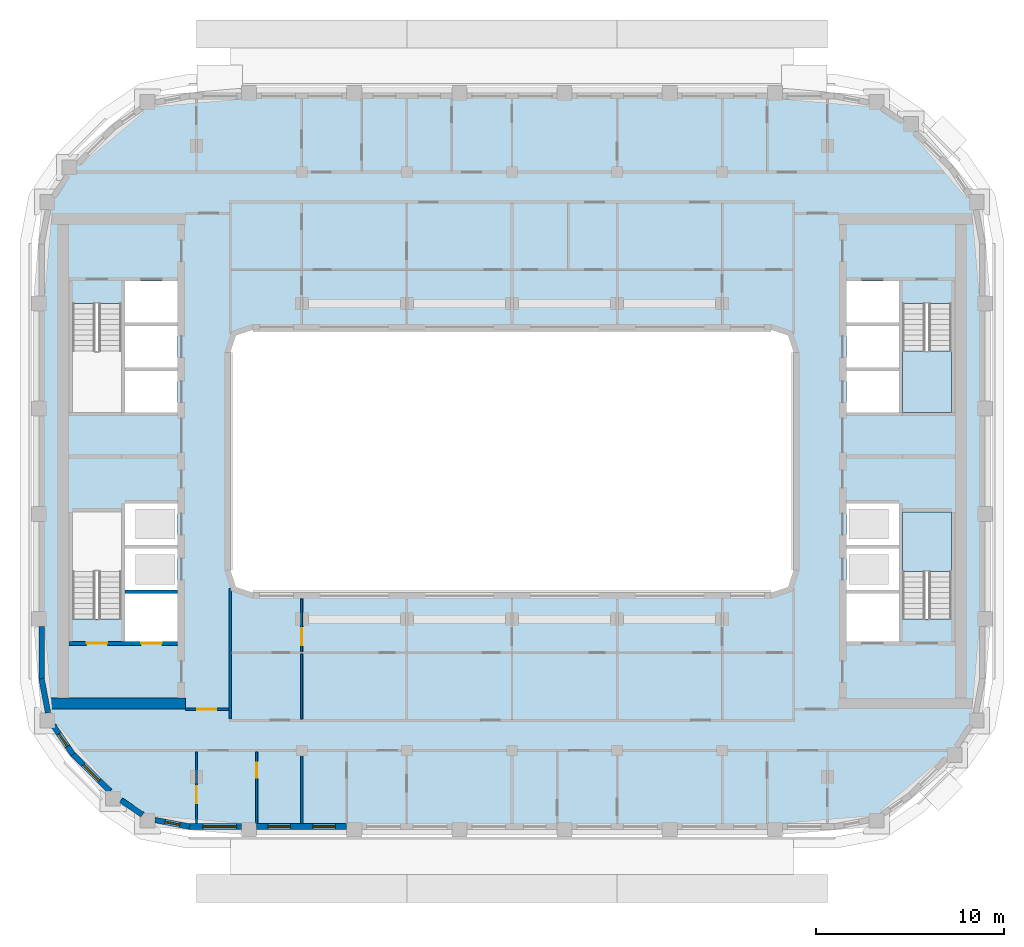
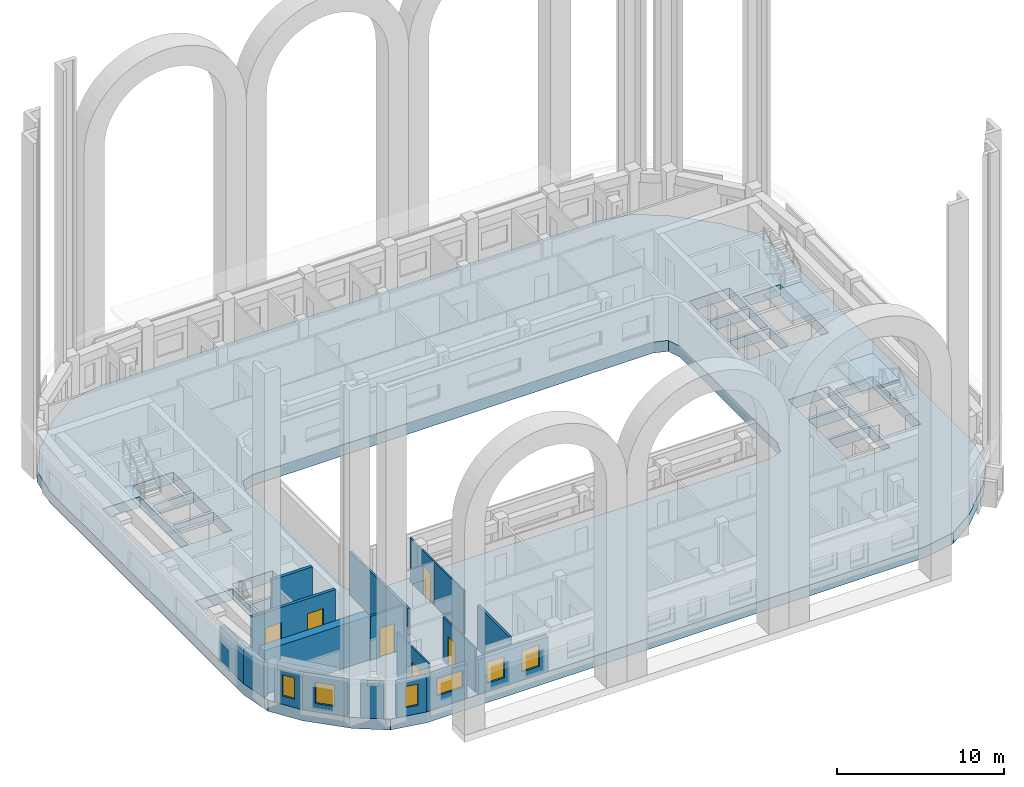
# One storey, part 2 of 19: 18 walls, 6 doors, 6 windows, 3 slabs, 12 openings, 2 elements without a shape of their own.
"""IFC4 building model written with IfcOpenShell, lengths in metres."""

from ifc_helpers import new_model, si_unit, direction, frame, frame_2d, origin, place, context, subcontext, project, spatial, polyline, rectangle, outline, extrude, material, layer, layer_set, type_object, element, fill, aggregate, save


model = new_model("IFC4")

# Units and contexts
model_context = context("Model", 3, precision=1e-05, world=origin(), true_north=direction((0.0, 1.0)))
body_context = subcontext(model_context, "Body", "Model", "MODEL_VIEW")
ifc_project = project(units=[si_unit("LENGTHUNIT", "METRE"), si_unit("AREAUNIT", "SQUARE_METRE"), si_unit("VOLUMEUNIT", "CUBIC_METRE"), si_unit("PLANEANGLEUNIT", "RADIAN"), si_unit("MASSUNIT", "GRAM", prefix="KILO")], contexts=[model_context])

# Site, building, storey
site_placement = place(None, origin())
site = spatial("IfcSite", under=ifc_project, at=site_placement, CompositionType="ELEMENT")
building_placement = place(site_placement, origin())
building = spatial("IfcBuilding", under=site, at=building_placement, Name="Kiln Ring Residences", CompositionType="ELEMENT")
storey_placement = place(building_placement, frame((0.0, 0.0, 241.699951171875)))
storey = spatial("IfcBuildingStorey", under=building, at=storey_placement, Name="L62", CompositionType="ELEMENT", Elevation=241.699951171875)

# Stair, slab
ifc_material_1 = material(Name="Concrete C40/50", Category="concrete")
stair_type = type_object("IfcStairType", Name="CORE-STAIR", PredefinedType="HALF_TURN_STAIR", material=ifc_material_1)
placement_1 = place(storey_placement, origin())
stair_1 = element("IfcStair", 1, at=placement_1, inside=storey, type_object=stair_type, Name="L62 stair E-STN", PredefinedType="HALF_TURN_STAIR")
ifc_material_2 = material(Name="Concrete C40/50", Category="concrete")
ifc_layer_1 = layer(ifc_material_2, 0.199951171875)
ifc_layer_set_1 = layer_set([ifc_layer_1], Name="CORE-STAIR-LANDING")
slab_type_1 = type_object("IfcSlabType", Name="CORE-STAIR-LANDING", PredefinedType="LANDING", material=ifc_layer_set_1)
placement_2 = place(storey_placement, frame((0.0, 0.0, 1.550048828125)))
slab_1 = element("IfcSlab", 2, at=placement_2, type_object=slab_type_1, Name="E-STN landing 1", PredefinedType="LANDING", context=body_context, shape_type="SweptSolid", body=[
    extrude(outline(polyline([(20.800048828125, 5.8798828125), (20.800048828125, 2.60009765625), (23.39990234375, 2.60009765625), (23.39990234375, 5.8798828125), (20.800048828125, 5.8798828125)])), origin(), (0.0, 0.0, 1.0), 0.199951171875),
])
aggregate(stair_1, [slab_1])

stair_2 = element("IfcStair", 3, at=placement_1, inside=storey, type_object=stair_type, Name="L62 stair E-STS", PredefinedType="HALF_TURN_STAIR")
slab_2 = element("IfcSlab", 4, at=placement_2, type_object=slab_type_1, Name="E-STS landing 1", PredefinedType="LANDING", context=body_context, shape_type="SweptSolid", body=[
    extrude(outline(polyline([(23.39990234375, -5.8798828125), (23.39990234375, -2.699951171875), (20.800048828125, -2.699951171875), (20.800048828125, -5.8798828125), (23.39990234375, -5.8798828125)])), origin(), (0.0, 0.0, 1.0), 0.199951171875),
])
aggregate(stair_2, [slab_2])

# Slab
ifc_material_3 = material(Name="Concrete C40/50", Category="concrete")
ifc_layer_2 = layer(ifc_material_3, 0.800048828125)
ifc_layer_set_2 = layer_set([ifc_layer_2], Name="Transfer slab 800")
slab_type_2 = type_object("IfcSlabType", Name="Transfer slab 800", PredefinedType="FLOOR", material=ifc_layer_set_2)
slab_3_placement = place(storey_placement, frame((0.0, 0.0, -0.800048828125)))
element("IfcSlab", 5, at=slab_3_placement, inside=storey, type_object=slab_type_2, Name="Transfer slab L62 1", PredefinedType="FLOOR", context=body_context, shape_type="SweptSolid", body=[
    extrude(outline(polyline([(-23.5029296875, -15.697021484375), (-21.297119140625, -17.90283203125), (-19.42431640625, -19.17578125), (-17.199951171875, -19.60009765625), (17.199951171875, -19.60009765625), (19.42431640625, -19.17578125), (21.297119140625, -17.90283203125), (23.5029296875, -15.697021484375), (24.775634765625, -13.82421875), (25.199951171875, -11.60009765625), (25.199951171875, 11.60009765625), (24.775634765625, 13.82421875), (23.5029296875, 15.697021484375), (21.297119140625, 17.90283203125), (19.42431640625, 19.17578125), (17.199951171875, 19.60009765625), (-17.199951171875, 19.60009765625), (-19.42431640625, 19.17578125), (-21.297119140625, 17.90283203125), (-23.5029296875, 15.697021484375), (-24.775634765625, 13.82421875), (-25.199951171875, 11.60009765625), (-25.199951171875, -11.60009765625), (-24.775634765625, -13.82421875), (-23.5029296875, -15.697021484375)]), holes=[polyline([(-14.699951171875, -6.699951171875), (-15.0, -5.800048828125), (-15.0, 5.800048828125), (-14.699951171875, 6.699951171875), (-13.800048828125, 7.0), (13.800048828125, 7.0), (14.699951171875, 6.699951171875), (15.0, 5.800048828125), (15.0, -5.800048828125), (14.699951171875, -6.699951171875), (13.800048828125, -7.0), (-13.800048828125, -7.0), (-14.699951171875, -6.699951171875)]), polyline([(20.800048828125, -8.39794921875), (20.800048828125, -2.699951171875), (23.39990234375, -2.699951171875), (23.39990234375, -8.39794921875), (20.800048828125, -8.39794921875)]), polyline([(20.800048828125, 2.60009765625), (20.800048828125, 8.39794921875), (23.39990234375, 8.39794921875), (23.39990234375, 2.60009765625), (20.800048828125, 2.60009765625)]), polyline([(17.800048828125, -9.60009765625), (17.800048828125, -7.050048828125), (20.60009765625, -7.050048828125), (20.60009765625, -9.60009765625), (17.800048828125, -9.60009765625)]), polyline([(17.800048828125, -6.85009765625), (17.800048828125, -4.64990234375), (20.60009765625, -4.64990234375), (20.60009765625, -6.85009765625), (17.800048828125, -6.85009765625)]), polyline([(17.800048828125, -4.449951171875), (17.800048828125, -2.25), (20.60009765625, -2.25), (20.60009765625, -4.449951171875), (17.800048828125, -4.449951171875)]), polyline([(17.800048828125, 2.60009765625), (17.800048828125, 4.800048828125), (20.60009765625, 4.800048828125), (20.60009765625, 2.60009765625), (17.800048828125, 2.60009765625)]), polyline([(17.800048828125, 5.0), (17.800048828125, 7.199951171875), (20.60009765625, 7.199951171875), (20.60009765625, 5.0), (17.800048828125, 5.0)]), polyline([(17.800048828125, 7.39990234375), (17.800048828125, 9.60009765625), (20.60009765625, 9.60009765625), (20.60009765625, 7.39990234375), (17.800048828125, 7.39990234375)]), polyline([(-17.800048828125, -9.60009765625), (-20.60009765625, -9.60009765625), (-20.60009765625, -7.050048828125), (-17.800048828125, -7.050048828125), (-17.800048828125, -9.60009765625)]), polyline([(-17.800048828125, -6.85009765625), (-20.60009765625, -6.85009765625), (-20.60009765625, -4.64990234375), (-17.800048828125, -4.64990234375), (-17.800048828125, -6.85009765625)]), polyline([(-17.800048828125, -4.449951171875), (-20.60009765625, -4.449951171875), (-20.60009765625, -2.25), (-17.800048828125, -2.25), (-17.800048828125, -4.449951171875)]), polyline([(-17.800048828125, 2.60009765625), (-20.60009765625, 2.60009765625), (-20.60009765625, 4.800048828125), (-17.800048828125, 4.800048828125), (-17.800048828125, 2.60009765625)]), polyline([(-17.800048828125, 5.0), (-20.60009765625, 5.0), (-20.60009765625, 7.199951171875), (-17.800048828125, 7.199951171875), (-17.800048828125, 5.0)]), polyline([(-17.800048828125, 7.39990234375), (-20.60009765625, 7.39990234375), (-20.60009765625, 9.60009765625), (-17.800048828125, 9.60009765625), (-17.800048828125, 7.39990234375)]), polyline([(-20.800048828125, -8.39794921875), (-23.39990234375, -8.39794921875), (-23.39990234375, -2.699951171875), (-20.800048828125, -2.699951171875), (-20.800048828125, -8.39794921875)]), polyline([(-20.800048828125, 2.60009765625), (-23.39990234375, 2.60009765625), (-23.39990234375, 8.39794921875), (-20.800048828125, 8.39794921875), (-20.800048828125, 2.60009765625)])]), origin(), (0.0, 0.0, 1.0), 0.800048828125),
])

# Wall
ifc_material_4 = material(Name="Gypsum shaft wall system")
ifc_layer_3 = layer(ifc_material_4, 0.199951171875)
ifc_layer_set_3 = layer_set([ifc_layer_3], Name="CORE-SHAFT-WALL-200")
wall_type_1 = type_object("IfcWallType", Name="CORE-SHAFT-WALL-200", PredefinedType="PARTITIONING", material=ifc_layer_set_3)
wall_1_placement = place(storey_placement, frame((-17.800048828125, -6.949951171875, 0.0), z_axis=(0.0, 0.0, 1.0), x_axis=(-1.0, 0.0, 0.0)))
element("IfcWall", 6, at=wall_1_placement, inside=storey, type_object=wall_type_1, Name="Core partition west L62 2", PredefinedType="PARTITIONING", context=body_context, shape_type="SweptSolid", body=[
    extrude(rectangle(XDim=2.800048828125, YDim=0.199951171875, at=frame_2d((1.39990234375, 0.0))), origin(), (0.0, 0.0, 1.0), 3.199951171875),
])

# Wall, openings, doors
ifc_material_5 = material(Name="Concrete C40/50", Category="concrete")
ifc_layer_4 = layer(ifc_material_5, 0.199951171875)
ifc_layer_set_4 = layer_set([ifc_layer_4], Name="CORE-WALL-RC200")
wall_type_2 = type_object("IfcWallType", Name="CORE-WALL-RC200", PredefinedType="SHEAR", material=ifc_layer_set_4)
wall_2_placement = place(storey_placement, frame((-17.800048828125, -9.699951171875, 0.0), z_axis=(0.0, 0.0, 1.0), x_axis=(-1.0, 0.0, 0.0)))
wall_2 = element("IfcWall", 7, at=wall_2_placement, inside=storey, type_object=wall_type_2, Name="Core wall west L62 8", PredefinedType="SHEAR", context=body_context, shape_type="SweptSolid", body=[
    extrude(rectangle(XDim=5.800048828125, YDim=0.199951171875, at=frame_2d((2.89990234375, 0.0))), origin(), (0.0, 0.0, 1.0), 3.199951171875),
])
opening_1_placement = place(wall_2_placement, frame((0.85009765625, 0.0, 0.0)))
opening_1 = element("IfcOpeningElement", 8, at=opening_1_placement, cuts=wall_2, Name="Opening L62-CW01", PredefinedType="OPENING", context=body_context, shape_type="SweptSolid", body=[
    extrude(rectangle(XDim=1.10009765625, YDim=2.10009765625, at=frame_2d((0.550048828125, 1.050048828125))), frame((0.0, 0.10986328125, 0.0), z_axis=(0.0, -1.0, 0.0), x_axis=(1.0, 0.0, 0.0)), (0.0, 0.0, 1.0), 0.219970703125),
])
opening_2_placement = place(wall_2_placement, frame((3.75, 0.0, 0.0)))
opening_2 = element("IfcOpeningElement", 9, at=opening_2_placement, cuts=wall_2, Name="Opening L62-CW11", PredefinedType="OPENING", context=body_context, shape_type="SweptSolid", body=[
    extrude(rectangle(XDim=1.10009765625, YDim=2.10009765625, at=frame_2d((0.550048828125, 1.050048828125))), frame((0.0, 0.10986328125, 0.0), z_axis=(0.0, -1.0, 0.0), x_axis=(1.0, 0.0, 0.0)), (0.0, 0.0, 1.0), 0.219970703125),
])
ifc_material_6 = material(Name="Steel door leaf", Category="steel")
door_type_1 = type_object("IfcDoorType", Name="CORE-DOOR-LD", OperationType="DOUBLE_DOOR_SLIDING", PredefinedType="DOOR", material=ifc_material_6)
door_1_placement = place(opening_1_placement, origin())
door_1 = element("IfcDoor", 10, at=door_1_placement, inside=storey, type_object=door_type_1, Name="LD W-SV L62-CW01", OperationType="DOUBLE_DOOR_SLIDING", OverallHeight=2.10009765625, OverallWidth=1.10009765625, PredefinedType="DOOR", context=body_context, shape_type="SweptSolid", body=[
    extrude(rectangle(XDim=1.10009765625, YDim=2.10009765625, at=frame_2d((0.550048828125, 1.050048828125))), frame((0.0, 0.02490234375, 0.0), z_axis=(0.0, -1.0, 0.0), x_axis=(1.0, 0.0, 0.0)), (0.0, 0.0, 1.0), 0.050048828125),
])
fill(opening_1, door_1)
ifc_material_7 = material(Name="Steel door leaf", Category="steel")
door_type_2 = type_object("IfcDoorType", Name="CORE-DOOR-STAIR", OperationType="SINGLE_SWING_LEFT", PredefinedType="DOOR", material=ifc_material_7)
door_2_placement = place(opening_2_placement, origin())
door_2 = element("IfcDoor", 11, at=door_2_placement, inside=storey, type_object=door_type_2, Name="Stair W-STS L62-CW11", OperationType="SINGLE_SWING_RIGHT", OverallHeight=2.10009765625, OverallWidth=1.10009765625, PredefinedType="DOOR", context=body_context, shape_type="SweptSolid", body=[
    extrude(rectangle(XDim=1.10009765625, YDim=2.10009765625, at=frame_2d((0.550048828125, 1.050048828125))), frame((0.0, 0.02490234375, 0.0), z_axis=(0.0, -1.0, 0.0), x_axis=(1.0, 0.0, 0.0)), (0.0, 0.0, 1.0), 0.050048828125),
])
fill(opening_2, door_2)

# Wall
ifc_material_8 = material(Name="Concrete C60/75", Category="concrete")
ifc_layer_5 = layer(ifc_material_8, 0.60009765625)
ifc_layer_set_5 = layer_set([ifc_layer_5], Name="CORE-WALL-RC600")
wall_type_3 = type_object("IfcWallType", Name="CORE-WALL-RC600", PredefinedType="SHEAR", material=ifc_layer_set_5)
wall_3_placement = place(storey_placement, frame((-17.39990234375, -12.89990234375, 0.0), z_axis=(0.0, 0.0, 1.0), x_axis=(-1.0, 0.0, 0.0)))
element("IfcWall", 12, at=wall_3_placement, inside=storey, type_object=wall_type_3, Name="Core wall west L62 5", PredefinedType="SHEAR", context=body_context, shape_type="SweptSolid", body=[
    extrude(rectangle(XDim=7.320068359375, YDim=0.60009765625, at=frame_2d((3.66015625, 0.0))), origin(), (0.0, 0.0, 1.0), 3.199951171875),
])

# Wall, opening, window
ifc_material_9 = material(Name="Brick masonry, dark clay brick", Category="masonry")
ifc_layer_6 = layer(ifc_material_9, 0.300048828125)
ifc_layer_set_6 = layer_set([ifc_layer_6], Name="EW-300 BRICK WALL")
wall_type_4 = type_object("IfcWallType", Name="EW-300 BRICK WALL", PredefinedType="SOLIDWALL", material=ifc_layer_set_6)
wall_4_placement = place(storey_placement, frame((-23.39697265625, -15.591064453125, 0.0), z_axis=(0.0, 0.0, 1.0), x_axis=(0.707150377276, -0.707063182409, 0.0)))
wall_4 = element("IfcWall", 13, at=wall_4_placement, inside=storey, type_object=wall_type_4, Name="Facade wall L62 1", PredefinedType="SOLIDWALL", context=body_context, shape_type="SweptSolid", body=[
    extrude(rectangle(XDim=2.800048828125, YDim=0.300048828125, at=frame_2d((1.39990234375, 0.0))), origin(), (0.0, 0.0, 1.0), 2.550048828125),
])
opening_3_placement = place(wall_4_placement, frame((0.800048828125, 0.0, 0.60009765625)))
opening_3 = element("IfcOpeningElement", 14, at=opening_3_placement, cuts=wall_4, Name="Opening W1", PredefinedType="OPENING", context=body_context, shape_type="SweptSolid", body=[
    extrude(rectangle(XDim=1.199951171875, YDim=1.550048828125, at=frame_2d((0.60009765625, 0.77490234375))), frame((0.0, 0.159912109375, 0.0), z_axis=(0.0, -1.0, 0.0), x_axis=(1.0, 0.0, 0.0)), (0.0, 0.0, 1.0), 0.320068359375),
])
ifc_material_10 = material(Name="Aluminium frame with double glazing", Category="aluminium")
window_type_1 = type_object("IfcWindowType", Name="WINDOW 1200 x 1550", PartitioningType="SINGLE_PANEL", PredefinedType="WINDOW", material=ifc_material_10)
window_1_placement = place(opening_3_placement, origin())
window_1 = element("IfcWindow", 15, at=window_1_placement, inside=storey, type_object=window_type_1, Name="Window L62 1", OverallHeight=1.550048828125, OverallWidth=1.199951171875, PartitioningType="SINGLE_PANEL", PredefinedType="WINDOW", context=body_context, shape_type="SweptSolid", body=[
    extrude(rectangle(XDim=1.199951171875, YDim=1.550048828125, at=frame_2d((0.60009765625, 0.77490234375))), frame((0.0, 0.030029296875, 0.0), z_axis=(0.0, -1.0, 0.0), x_axis=(1.0, 0.0, 0.0)), (0.0, 0.0, 1.0), 0.06005859375),
])
fill(opening_3, window_1)

# Wall
wall_5_placement = place(storey_placement, frame((-20.816650390625, -18.048095703125, 0.0), z_axis=(0.0, 0.0, 1.0), x_axis=(0.827025410886, -0.562164539747, 0.0)))
element("IfcWall", 16, at=wall_5_placement, inside=storey, type_object=wall_type_4, Name="Facade wall L62 2", PredefinedType="SOLIDWALL", context=body_context, shape_type="SweptSolid", body=[
    extrude(rectangle(XDim=1.377197265625, YDim=0.300048828125, at=frame_2d((0.6884765625, 0.0))), origin(), (0.0, 0.0, 1.0), 2.550048828125),
])

# Wall, opening, window
wall_6_placement = place(storey_placement, frame((-18.9951171875, -19.10498046875, 0.0), z_axis=(0.0, 0.0, 1.0), x_axis=(0.982301706131, -0.187305520826, 0.0)))
wall_6 = element("IfcWall", 17, at=wall_6_placement, inside=storey, type_object=wall_type_4, Name="Facade wall L62 3", PredefinedType="SOLIDWALL", context=body_context, shape_type="SweptSolid", body=[
    extrude(rectangle(XDim=1.856201171875, YDim=0.300048828125, at=frame_2d((0.92822265625, 0.0))), origin(), (0.0, 0.0, 1.0), 2.550048828125),
])
opening_4_placement = place(wall_6_placement, frame((0.528076171875, 0.0, 0.60009765625)))
opening_4 = element("IfcOpeningElement", 18, at=opening_4_placement, cuts=wall_6, Name="Opening W5", PredefinedType="OPENING", context=body_context, shape_type="SweptSolid", body=[
    extrude(rectangle(XDim=0.800048828125, YDim=1.550048828125, at=frame_2d((0.39990234375, 0.77490234375))), frame((0.0, 0.159912109375, 0.0), z_axis=(0.0, -1.0, 0.0), x_axis=(1.0, 0.0, 0.0)), (0.0, 0.0, 1.0), 0.320068359375),
])
ifc_material_11 = material(Name="Aluminium frame with double glazing", Category="aluminium")
window_type_2 = type_object("IfcWindowType", Name="WINDOW 800 x 1550", PartitioningType="SINGLE_PANEL", PredefinedType="WINDOW", material=ifc_material_11)
window_2_placement = place(opening_4_placement, origin())
window_2 = element("IfcWindow", 19, at=window_2_placement, inside=storey, type_object=window_type_2, Name="Window L62 2", OverallHeight=1.550048828125, OverallWidth=0.800048828125, PartitioningType="SINGLE_PANEL", PredefinedType="WINDOW", context=body_context, shape_type="SweptSolid", body=[
    extrude(rectangle(XDim=0.800048828125, YDim=1.550048828125, at=frame_2d((0.39990234375, 0.77490234375))), frame((0.0, 0.030029296875, 0.0), z_axis=(0.0, -1.0, 0.0), x_axis=(1.0, 0.0, 0.0)), (0.0, 0.0, 1.0), 0.06005859375),
])
fill(opening_4, window_2)

wall_7_placement = place(storey_placement, frame((-17.199951171875, -19.449951171875, 0.0), z_axis=(0.0, 0.0, 1.0), x_axis=(1.0, 0.0, 0.0)))
wall_7 = element("IfcWall", 20, at=wall_7_placement, inside=storey, type_object=wall_type_4, Name="Facade wall L62 4", PredefinedType="SOLIDWALL", context=body_context, shape_type="SweptSolid", body=[
    extrude(rectangle(XDim=2.800048828125, YDim=0.300048828125, at=frame_2d((1.39990234375, 0.0))), origin(), (0.0, 0.0, 1.0), 2.550048828125),
])
opening_5_placement = place(wall_7_placement, frame((0.737548828125, 0.0, 0.89990234375)))
opening_5 = element("IfcOpeningElement", 21, at=opening_5_placement, cuts=wall_7, Name="Opening W2", PredefinedType="OPENING", context=body_context, shape_type="SweptSolid", body=[
    extrude(rectangle(XDim=1.800048828125, YDim=1.25, at=frame_2d((0.89990234375, 0.625))), frame((0.0, 0.159912109375, 0.0), z_axis=(0.0, -1.0, 0.0), x_axis=(1.0, 0.0, 0.0)), (0.0, 0.0, 1.0), 0.320068359375),
])
ifc_material_12 = material(Name="Aluminium frame with double glazing", Category="aluminium")
window_type_3 = type_object("IfcWindowType", Name="WINDOW 1800 x 1250", PartitioningType="SINGLE_PANEL", PredefinedType="WINDOW", material=ifc_material_12)
window_3_placement = place(opening_5_placement, origin())
window_3 = element("IfcWindow", 22, at=window_3_placement, inside=storey, type_object=window_type_3, Name="Window L62 3", OverallHeight=1.25, OverallWidth=1.800048828125, PartitioningType="SINGLE_PANEL", PredefinedType="WINDOW", context=body_context, shape_type="SweptSolid", body=[
    extrude(rectangle(XDim=1.800048828125, YDim=1.25, at=frame_2d((0.89990234375, 0.625))), frame((0.0, 0.030029296875, 0.0), z_axis=(0.0, -1.0, 0.0), x_axis=(1.0, 0.0, 0.0)), (0.0, 0.0, 1.0), 0.06005859375),
])
fill(opening_5, window_3)

# Wall, openings, windows
wall_8_placement = place(storey_placement, frame((-13.60009765625, -19.449951171875, 0.0), z_axis=(0.0, 0.0, 1.0), x_axis=(1.0, 0.0, 0.0)))
wall_8 = element("IfcWall", 23, at=wall_8_placement, inside=storey, type_object=wall_type_4, Name="Facade wall L62 5", PredefinedType="SOLIDWALL", context=body_context, shape_type="SweptSolid", body=[
    extrude(rectangle(XDim=4.800048828125, YDim=0.300048828125, at=frame_2d((2.39990234375, 0.0))), origin(), (0.0, 0.0, 1.0), 2.550048828125),
])
opening_6_placement = place(wall_8_placement, frame((0.60009765625, 0.0, 0.60009765625)))
opening_6 = element("IfcOpeningElement", 24, at=opening_6_placement, cuts=wall_8, Name="Opening W1", PredefinedType="OPENING", context=body_context, shape_type="SweptSolid", body=[
    extrude(rectangle(XDim=1.199951171875, YDim=1.550048828125, at=frame_2d((0.60009765625, 0.77490234375))), frame((0.0, 0.159912109375, 0.0), z_axis=(0.0, -1.0, 0.0), x_axis=(1.0, 0.0, 0.0)), (0.0, 0.0, 1.0), 0.320068359375),
])
opening_7_placement = place(wall_8_placement, frame((3.0, 0.0, 0.60009765625)))
opening_7 = element("IfcOpeningElement", 25, at=opening_7_placement, cuts=wall_8, Name="Opening W1", PredefinedType="OPENING", context=body_context, shape_type="SweptSolid", body=[
    extrude(rectangle(XDim=1.199951171875, YDim=1.550048828125, at=frame_2d((0.60009765625, 0.77490234375))), frame((0.0, 0.159912109375, 0.0), z_axis=(0.0, -1.0, 0.0), x_axis=(1.0, 0.0, 0.0)), (0.0, 0.0, 1.0), 0.320068359375),
])
window_4_placement = place(opening_6_placement, origin())
window_4 = element("IfcWindow", 26, at=window_4_placement, inside=storey, type_object=window_type_1, Name="Window L62 4", OverallHeight=1.550048828125, OverallWidth=1.199951171875, PartitioningType="SINGLE_PANEL", PredefinedType="WINDOW", context=body_context, shape_type="SweptSolid", body=[
    extrude(rectangle(XDim=1.199951171875, YDim=1.550048828125, at=frame_2d((0.60009765625, 0.77490234375))), frame((0.0, 0.030029296875, 0.0), z_axis=(0.0, -1.0, 0.0), x_axis=(1.0, 0.0, 0.0)), (0.0, 0.0, 1.0), 0.06005859375),
])
fill(opening_6, window_4)
window_5_placement = place(opening_7_placement, origin())
window_5 = element("IfcWindow", 27, at=window_5_placement, inside=storey, type_object=window_type_1, Name="Window L62 5", OverallHeight=1.550048828125, OverallWidth=1.199951171875, PartitioningType="SINGLE_PANEL", PredefinedType="WINDOW", context=body_context, shape_type="SweptSolid", body=[
    extrude(rectangle(XDim=1.199951171875, YDim=1.550048828125, at=frame_2d((0.60009765625, 0.77490234375))), frame((0.0, 0.030029296875, 0.0), z_axis=(0.0, -1.0, 0.0), x_axis=(1.0, 0.0, 0.0)), (0.0, 0.0, 1.0), 0.06005859375),
])
fill(opening_7, window_5)

# Walls
wall_9_placement = place(storey_placement, frame((-25.050048828125, -8.800048828125, 0.0), z_axis=(0.0, 0.0, 1.0), x_axis=(0.0, -1.0, 0.0)))
element("IfcWall", 28, at=wall_9_placement, inside=storey, type_object=wall_type_4, Name="Facade wall L62 42", PredefinedType="SOLIDWALL", context=body_context, shape_type="SweptSolid", body=[
    extrude(rectangle(XDim=2.800048828125, YDim=0.300048828125, at=frame_2d((1.39990234375, 0.0))), origin(), (0.0, 0.0, 1.0), 2.550048828125),
])
wall_10_placement = place(storey_placement, frame((-25.052734375, -11.57177734375, 0.0), z_axis=(0.0, 0.0, 1.0), x_axis=(0.187408222942, -0.982282117303, 0.0)))
element("IfcWall", 29, at=wall_10_placement, inside=storey, type_object=wall_type_4, Name="Facade wall L62 43", PredefinedType="SOLIDWALL", context=body_context, shape_type="SweptSolid", body=[
    extrude(rectangle(XDim=1.8564453125, YDim=0.300048828125, at=frame_2d((0.92822265625, 0.0))), origin(), (0.0, 0.0, 1.0), 2.550048828125),
])

# Wall, opening, window
wall_11_placement = place(storey_placement, frame((-24.422119140625, -14.07763671875, 0.0), z_axis=(0.0, 0.0, 1.0), x_axis=(0.562054549384, -0.827100165347, 0.0)))
wall_11 = element("IfcWall", 30, at=wall_11_placement, inside=storey, type_object=wall_type_4, Name="Facade wall L62 44", PredefinedType="SOLIDWALL", context=body_context, shape_type="SweptSolid", body=[
    extrude(rectangle(XDim=1.85595703125, YDim=0.300048828125, at=frame_2d((0.927978515625, 0.0))), origin(), (0.0, 0.0, 1.0), 2.550048828125),
])
opening_8_placement = place(wall_11_placement, frame((0.528076171875, 0.0, 0.60009765625)))
opening_8 = element("IfcOpeningElement", 31, at=opening_8_placement, cuts=wall_11, Name="Opening W5", PredefinedType="OPENING", context=body_context, shape_type="SweptSolid", body=[
    extrude(rectangle(XDim=0.800048828125, YDim=1.550048828125, at=frame_2d((0.39990234375, 0.77490234375))), frame((0.0, 0.159912109375, 0.0), z_axis=(0.0, -1.0, 0.0), x_axis=(1.0, 0.0, 0.0)), (0.0, 0.0, 1.0), 0.320068359375),
])
window_6_placement = place(opening_8_placement, origin())
window_6 = element("IfcWindow", 32, at=window_6_placement, inside=storey, type_object=window_type_2, Name="Window L62 36", OverallHeight=1.550048828125, OverallWidth=0.800048828125, PartitioningType="SINGLE_PANEL", PredefinedType="WINDOW", context=body_context, shape_type="SweptSolid", body=[
    extrude(rectangle(XDim=0.800048828125, YDim=1.550048828125, at=frame_2d((0.39990234375, 0.77490234375))), frame((0.0, 0.030029296875, 0.0), z_axis=(0.0, -1.0, 0.0), x_axis=(1.0, 0.0, 0.0)), (0.0, 0.0, 1.0), 0.06005859375),
])
fill(opening_8, window_6)

# Wall, opening, door
ifc_material_13 = material(Name="Gypsum board on steel studs", Category="steel")
ifc_layer_7 = layer(ifc_material_13, 0.10009765625)
ifc_layer_set_7 = layer_set([ifc_layer_7], Name="PARTITION-100")
wall_type_5 = type_object("IfcWallType", Name="PARTITION-100", PredefinedType="PARTITIONING", material=ifc_layer_set_7)
wall_12_placement = place(storey_placement, frame((-16.800048828125, -19.280029296875, 0.0), z_axis=(0.0, 0.0, 1.0), x_axis=(0.0, 1.0, 0.0)))
wall_12 = element("IfcWall", 33, at=wall_12_placement, inside=storey, type_object=wall_type_5, Name="Partition 010", PredefinedType="PARTITIONING", context=body_context, shape_type="SweptSolid", body=[
    extrude(rectangle(XDim=3.804931640625, YDim=0.10009765625, at=frame_2d((1.90234375, 0.0))), origin(), (0.0, 0.0, 1.0), 3.199951171875),
])
opening_9_placement = place(wall_12_placement, frame((1.0791015625, 0.0, 0.0)))
opening_9 = element("IfcOpeningElement", 34, at=opening_9_placement, cuts=wall_12, Name="Opening L62-D043", PredefinedType="OPENING", context=body_context, shape_type="SweptSolid", body=[
    extrude(rectangle(XDim=0.89990234375, YDim=2.10009765625, at=frame_2d((0.449951171875, 1.050048828125))), frame((0.0, 0.06005859375, 0.0), z_axis=(0.0, -1.0, 0.0), x_axis=(1.0, 0.0, 0.0)), (0.0, 0.0, 1.0), 0.1201171875),
])
ifc_material_14 = material(Name="Timber door leaf", Category="wood")
door_type_3 = type_object("IfcDoorType", Name="FLAT-DOOR-900-PL", OperationType="SINGLE_SWING_LEFT", PredefinedType="DOOR", material=ifc_material_14)
door_3_placement = place(opening_9_placement, origin())
door_3 = element("IfcDoor", 35, at=door_3_placement, inside=storey, type_object=door_type_3, Name="Door L62-D043", OperationType="SINGLE_SWING_RIGHT", OverallHeight=2.10009765625, OverallWidth=0.89990234375, PredefinedType="DOOR", context=body_context, shape_type="SweptSolid", body=[
    extrude(rectangle(XDim=0.89990234375, YDim=2.10009765625, at=frame_2d((0.449951171875, 1.050048828125))), frame((0.0, 0.02490234375, 0.0), z_axis=(0.0, -1.0, 0.0), x_axis=(1.0, 0.0, 0.0)), (0.0, 0.0, 1.0), 0.050048828125),
])
fill(opening_9, door_3)

wall_13_placement = place(storey_placement, frame((-13.60009765625, -19.280029296875, 0.0), z_axis=(0.0, 0.0, 1.0), x_axis=(0.0, 1.0, 0.0)))
wall_13 = element("IfcWall", 36, at=wall_13_placement, inside=storey, type_object=wall_type_5, Name="Partition 014", PredefinedType="PARTITIONING", context=body_context, shape_type="SweptSolid", body=[
    extrude(rectangle(XDim=3.804931640625, YDim=0.10009765625, at=frame_2d((1.90234375, 0.0))), origin(), (0.0, 0.0, 1.0), 3.199951171875),
])
opening_10_placement = place(wall_13_placement, frame((2.419921875, 0.0, 0.0)))
opening_10 = element("IfcOpeningElement", 37, at=opening_10_placement, cuts=wall_13, Name="Opening L62-D042", PredefinedType="OPENING", context=body_context, shape_type="SweptSolid", body=[
    extrude(rectangle(XDim=0.800048828125, YDim=2.10009765625, at=frame_2d((0.39990234375, 1.050048828125))), frame((0.0, 0.06005859375, 0.0), z_axis=(0.0, -1.0, 0.0), x_axis=(1.0, 0.0, 0.0)), (0.0, 0.0, 1.0), 0.1201171875),
])
ifc_material_15 = material(Name="Timber door leaf", Category="wood")
door_type_4 = type_object("IfcDoorType", Name="FLAT-DOOR-800-PL", OperationType="SINGLE_SWING_LEFT", PredefinedType="DOOR", material=ifc_material_15)
door_4_placement = place(opening_10_placement, origin())
door_4 = element("IfcDoor", 38, at=door_4_placement, inside=storey, type_object=door_type_4, Name="Door L62-D042", OperationType="SINGLE_SWING_RIGHT", OverallHeight=2.10009765625, OverallWidth=0.800048828125, PredefinedType="DOOR", context=body_context, shape_type="SweptSolid", body=[
    extrude(rectangle(XDim=0.800048828125, YDim=2.10009765625, at=frame_2d((0.39990234375, 1.050048828125))), frame((0.0, 0.02490234375, 0.0), z_axis=(0.0, -1.0, 0.0), x_axis=(1.0, 0.0, 0.0)), (0.0, 0.0, 1.0), 0.050048828125),
])
fill(opening_10, door_4)

# Wall
wall_14_placement = place(storey_placement, frame((-11.199951171875, -13.72509765625, 0.0), z_axis=(0.0, 0.0, 1.0), x_axis=(0.0, 1.0, 0.0)))
element("IfcWall", 39, at=wall_14_placement, inside=storey, type_object=wall_type_5, Name="Partition 015", PredefinedType="PARTITIONING", context=body_context, shape_type="SweptSolid", body=[
    extrude(rectangle(XDim=3.47509765625, YDim=0.10009765625, at=frame_2d((1.737548828125, 0.0))), origin(), (0.0, 0.0, 1.0), 3.199951171875),
])

# Wall, opening, door
wall_15_placement = place(storey_placement, frame((-11.199951171875, -10.14990234375, 0.0), z_axis=(0.0, 0.0, 1.0), x_axis=(0.0, 1.0, 0.0)))
wall_15 = element("IfcWall", 40, at=wall_15_placement, inside=storey, type_object=wall_type_5, Name="Partition 016", PredefinedType="PARTITIONING", context=body_context, shape_type="SweptSolid", body=[
    extrude(rectangle(XDim=2.829833984375, YDim=0.10009765625, at=frame_2d((1.4150390625, 0.0))), origin(), (0.0, 0.0, 1.0), 3.199951171875),
])
opening_11_placement = place(wall_15_placement, frame((0.35009765625, 0.0, 0.0)))
opening_11 = element("IfcOpeningElement", 41, at=opening_11_placement, cuts=wall_15, Name="Opening L62-D032", PredefinedType="OPENING", context=body_context, shape_type="SweptSolid", body=[
    extrude(rectangle(XDim=0.89990234375, YDim=2.10009765625, at=frame_2d((0.449951171875, 1.050048828125))), frame((0.0, 0.06005859375, 0.0), z_axis=(0.0, -1.0, 0.0), x_axis=(1.0, 0.0, 0.0)), (0.0, 0.0, 1.0), 0.1201171875),
])
door_5_placement = place(opening_11_placement, origin())
door_5 = element("IfcDoor", 42, at=door_5_placement, inside=storey, type_object=door_type_3, Name="Door L62-D032", OperationType="SINGLE_SWING_LEFT", OverallHeight=2.10009765625, OverallWidth=0.89990234375, PredefinedType="DOOR", context=body_context, shape_type="SweptSolid", body=[
    extrude(rectangle(XDim=0.89990234375, YDim=2.10009765625, at=frame_2d((0.449951171875, 1.050048828125))), frame((0.0, 0.02490234375, 0.0), z_axis=(0.0, -1.0, 0.0), x_axis=(1.0, 0.0, 0.0)), (0.0, 0.0, 1.0), 0.050048828125),
])
fill(opening_11, door_5)

ifc_material_16 = material(Name="Brick masonry partition", Category="masonry")
ifc_layer_8 = layer(ifc_material_16, 0.14990234375)
ifc_layer_set_8 = layer_set([ifc_layer_8], Name="PARTITION-150-ei60")
wall_type_6 = type_object("IfcWallType", Name="PARTITION-150-ei60", PredefinedType="PARTITIONING", material=ifc_layer_set_8)
wall_16_placement = place(storey_placement, frame((-17.39990234375, -13.199951171875, 0.0), z_axis=(0.0, 0.0, 1.0), x_axis=(1.0, 0.0, 0.0)))
wall_16 = element("IfcWall", 43, at=wall_16_placement, inside=storey, type_object=wall_type_6, Name="Partition 002", PredefinedType="PARTITIONING", context=body_context, shape_type="SweptSolid", body=[
    extrude(rectangle(XDim=2.324951171875, YDim=0.14990234375, at=frame_2d((1.16259765625, 0.0))), origin(), (0.0, 0.0, 1.0), 3.199951171875),
])
opening_12_placement = place(wall_16_placement, frame((0.64990234375, 0.0, 0.0)))
opening_12 = element("IfcOpeningElement", 44, at=opening_12_placement, cuts=wall_16, Name="Opening L62-D003", PredefinedType="OPENING", context=body_context, shape_type="SweptSolid", body=[
    extrude(rectangle(XDim=1.0, YDim=2.10009765625, at=frame_2d((0.5, 1.050048828125))), frame((0.0, 0.0849609375, 0.0), z_axis=(0.0, -1.0, 0.0), x_axis=(1.0, 0.0, 0.0)), (0.0, 0.0, 1.0), 0.169921875),
])
ifc_material_17 = material(Name="Steel faced fire door leaf", Category="steel")
door_type_5 = type_object("IfcDoorType", Name="FLAT-DOOR-1000-FR", OperationType="SINGLE_SWING_LEFT", PredefinedType="DOOR", material=ifc_material_17)
door_6_placement = place(opening_12_placement, origin())
door_6 = element("IfcDoor", 45, at=door_6_placement, inside=storey, type_object=door_type_5, Name="Door L62-D003", OperationType="SINGLE_SWING_RIGHT", OverallHeight=2.10009765625, OverallWidth=1.0, PredefinedType="DOOR", context=body_context, shape_type="SweptSolid", body=[
    extrude(rectangle(XDim=1.0, YDim=2.10009765625, at=frame_2d((0.5, 1.050048828125))), frame((0.0, 0.02490234375, 0.0), z_axis=(0.0, -1.0, 0.0), x_axis=(1.0, 0.0, 0.0)), (0.0, 0.0, 1.0), 0.050048828125),
])
fill(opening_12, door_6)

# Walls
wall_17_placement = place(storey_placement, frame((-15.0, -13.72509765625, 0.0), z_axis=(0.0, 0.0, 1.0), x_axis=(0.0, 1.0, 0.0)))
element("IfcWall", 46, at=wall_17_placement, inside=storey, type_object=wall_type_6, Name="Partition 012", PredefinedType="PARTITIONING", context=body_context, shape_type="SweptSolid", body=[
    extrude(rectangle(XDim=6.956298828125, YDim=0.14990234375, at=frame_2d((3.47802734375, 0.0))), origin(), (0.0, 0.0, 1.0), 3.199951171875),
])
wall_18_placement = place(storey_placement, frame((-11.199951171875, -19.280029296875, 0.0), z_axis=(0.0, 0.0, 1.0), x_axis=(0.0, 1.0, 0.0)))
element("IfcWall", 47, at=wall_18_placement, inside=storey, type_object=wall_type_6, Name="Partition 020", PredefinedType="PARTITIONING", context=body_context, shape_type="SweptSolid", body=[
    extrude(rectangle(XDim=3.804931640625, YDim=0.14990234375, at=frame_2d((1.90234375, 0.0))), origin(), (0.0, 0.0, 1.0), 3.199951171875),
])

save(model, "model.ifc")
